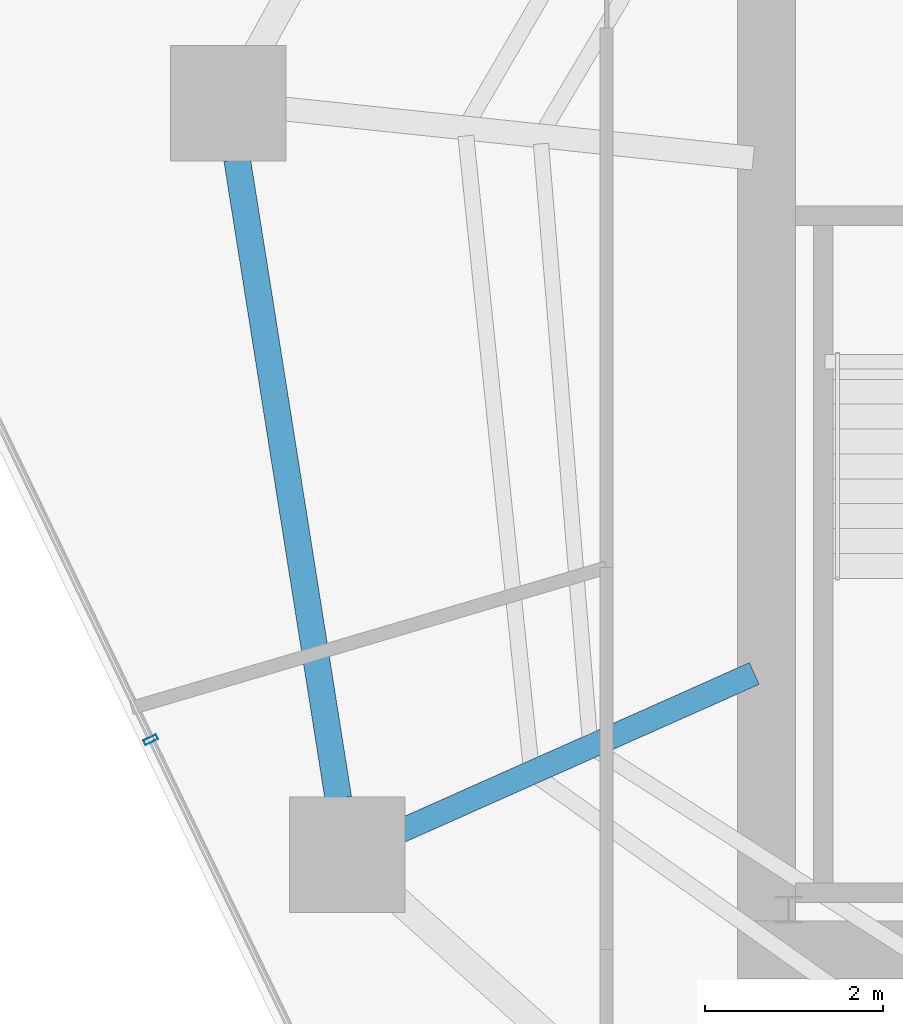
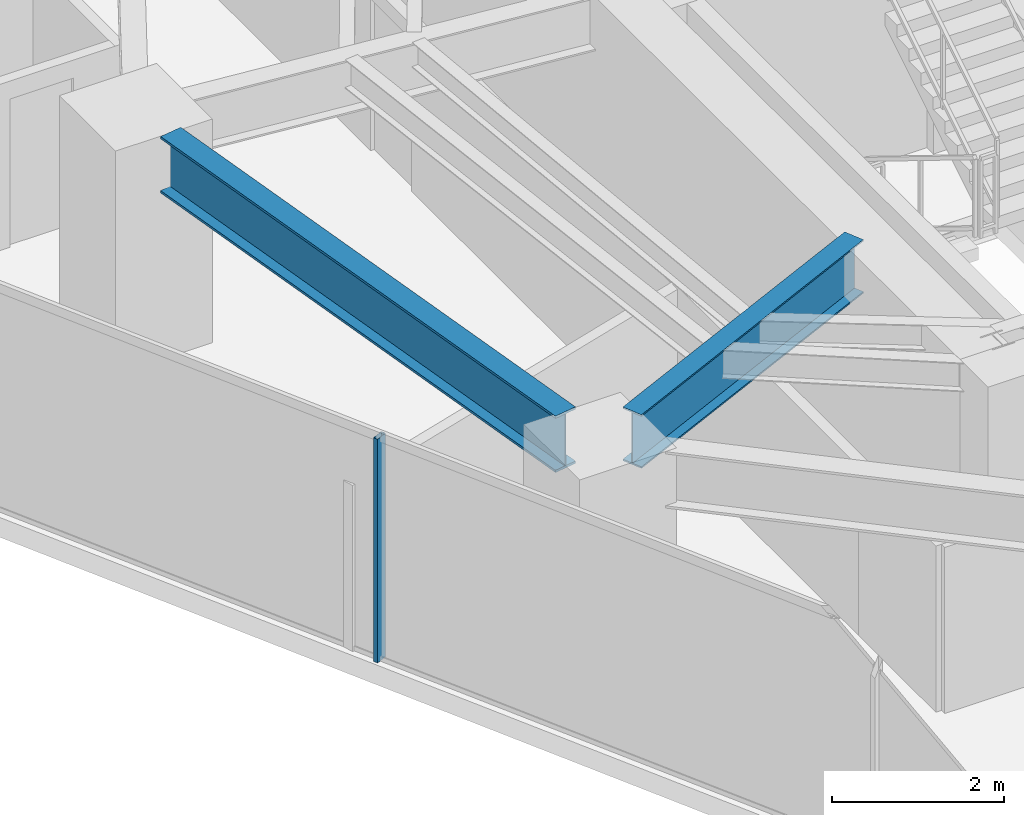
# One storey, part 7 of 30: 2 beams, 1 member, 1 element without a shape of its own.
"""IFC4 building model written with IfcOpenShell, lengths in metres."""

from ifc_helpers import new_model, si_unit, direction, frame, origin, origin_2d, place, context, subcontext, project, spatial, hollow_rectangle, i_section, extrude, material, layer, layer_set, material_profile, profile_set, type_object, element, aggregate, save


model = new_model("IFC4")

# Units and contexts
model_context = context("Model", 3, precision=1e-05, world=origin(), true_north=direction((0.0, 1.0)))
body_context = subcontext(model_context, "Body", "Model", "MODEL_VIEW")
ifc_project = project(units=[si_unit("LENGTHUNIT", "METRE"), si_unit("AREAUNIT", "SQUARE_METRE"), si_unit("VOLUMEUNIT", "CUBIC_METRE"), si_unit("PLANEANGLEUNIT", "RADIAN"), si_unit("MASSUNIT", "GRAM", prefix="KILO")], contexts=[model_context])

# Site, building, storey
site_placement = place(None, origin())
site = spatial("IfcSite", under=ifc_project, at=site_placement, CompositionType="ELEMENT")
building_placement = place(site_placement, origin())
building = spatial("IfcBuilding", under=site, at=building_placement, Name="Qarnah Convention Tower", CompositionType="ELEMENT")
storey_placement = place(building_placement, frame((0.0, 0.0, 51.14990234375)))
storey = spatial("IfcBuildingStorey", under=building, at=storey_placement, Name="L12", CompositionType="ELEMENT", Elevation=51.14990234375)

# Beams
ifc_material_1 = material(Name="Structural steel S355JR", Category="steel")
ifc_material_profile_1 = material_profile(ifc_material_1, i_section(OverallWidth=0.26806640625, OverallDepth=0.760009765625, WebThickness=0.014892578125, FlangeThickness=0.02197265625, at=origin_2d()), Name="W760X185")
ifc_profile_set_1 = profile_set([ifc_material_profile_1], Name="Structural steel S355JR")
beam_type_1 = type_object("IfcBeamType", Name="BM-RAD-W760", PredefinedType="BEAM", material=ifc_profile_set_1)
beam_1_placement = place(storey_placement, frame((26.6630859375, 21.708984375, 2.7900390625), z_axis=(-0.913519753242, -0.406794371195, 0.0), x_axis=(0.406794371195, -0.913519753242, 0.0)))
element("IfcBeam", 1, at=beam_1_placement, inside=storey, type_object=beam_type_1, Name="L12 beam BM-L12-RAD-06", PredefinedType="BEAM", context=body_context, shape_type="SweptSolid", body=[
    extrude(i_section(OverallWidth=0.26806640625, OverallDepth=0.760009765625, WebThickness=0.014892578125, FlangeThickness=0.02197265625, at=origin_2d()), origin(), (0.0, 0.0, 1.0), 4.38525390625),
])
ifc_material_profile_2 = material_profile(ifc_material_1, i_section(OverallWidth=0.300048828125, OverallDepth=0.800048828125, WebThickness=0.01806640625, FlangeThickness=0.032958984375, at=origin_2d()), Name="HEB800")
ifc_profile_set_2 = profile_set([ifc_material_profile_2], Name="Structural steel S355JR")
beam_type_2 = type_object("IfcBeamType", Name="BM-RING-HEB800", PredefinedType="BEAM", material=ifc_profile_set_2)
beam_2_placement = place(storey_placement, frame((20.841064453125, 27.498046875, 2.77001953125), z_axis=(0.156433977502, -0.987688417814, 0.0), x_axis=(0.987688417814, 0.156433977502, 0.0)))
element("IfcBeam", 2, at=beam_2_placement, inside=storey, type_object=beam_type_2, Name="L12 beam BM-L12-SPN-05", PredefinedType="BEAM", context=body_context, shape_type="SweptSolid", body=[
    extrude(i_section(OverallWidth=0.300048828125, OverallDepth=0.800048828125, WebThickness=0.01806640625, FlangeThickness=0.032958984375, at=origin_2d()), origin(), (0.0, 0.0, 1.0), 7.28662109375),
])

# Curtain wall, member
ifc_material_2 = material(Name="Tempered Low-E dark glass", Category="glass")
ifc_layer = layer(ifc_material_2, 0.16796875)
ifc_layer_set = layer_set([ifc_layer], Name="Tempered Low-E dark glass")
curtain_wall_type = type_object("IfcCurtainWallType", Name="CWS-01", PredefinedType="NOTDEFINED", material=ifc_layer_set)
curtain_wall_placement = place(storey_placement, origin())
curtain_wall = element("IfcCurtainWall", 3, at=curtain_wall_placement, inside=storey, type_object=curtain_wall_type, Name="L12 unitised curtain wall CW-L12-F1", PredefinedType="NOTDEFINED")
ifc_material_3 = material(Name="Black anodised aluminium", Category="aluminium")
ifc_material_profile_3 = material_profile(ifc_material_3, hollow_rectangle(XDim=0.06005859375, YDim=0.159912109375, WallThickness=0.00390625, at=origin_2d()), Name="MUL-60X160")
ifc_profile_set_3 = profile_set([ifc_material_profile_3], Name="Black anodised aluminium")
member_type = type_object("IfcMemberType", Name="MUL-T1", PredefinedType="MULLION", material=ifc_profile_set_3)
member_placement = place(storey_placement, frame((19.869140625, 20.9638671875, 0.0), z_axis=(0.0, 0.0, 1.0), x_axis=(-0.433348502492, 0.901226428479, 0.0)))
member = element("IfcMember", 4, at=member_placement, type_object=member_type, Name="CW-L12-F1 mullion 4", PredefinedType="MULLION", context=body_context, shape_type="SweptSolid", body=[
    extrude(hollow_rectangle(XDim=0.06005859375, YDim=0.159912109375, WallThickness=0.00390625, at=origin_2d()), origin(), (0.0, 0.0, 1.0), 3.170166015625),
])
aggregate(curtain_wall, [member])

save(model, "model.ifc")
